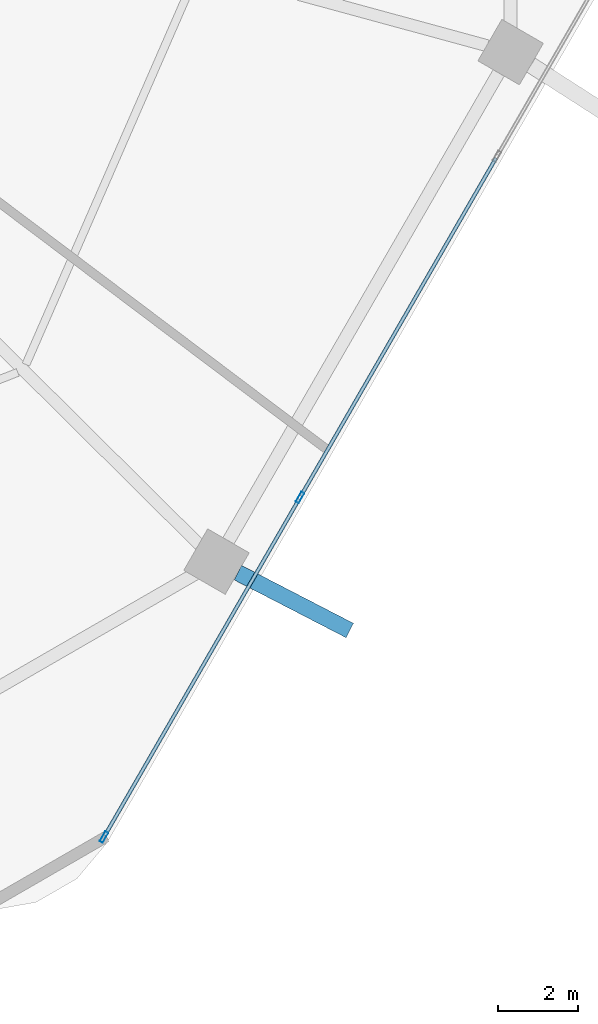
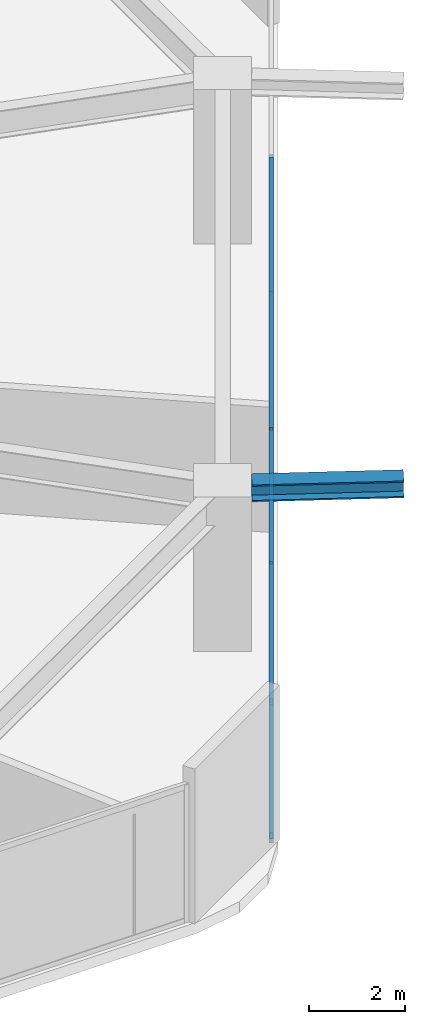
# One storey, part 9 of 25: 6 members, 1 beam, 1 element without a shape of its own.
"""IFC4 building model written with IfcOpenShell, lengths in metres."""

import ifcopenshell
import ifcopenshell.guid

model = None  # the IFC model being written
_history = None  # IfcOwnerHistory: only IFC2X3 demands one
_inside = {}  # id of a spatial element -> (the spatial element, [elements in it])
_under = {}  # id of a project, library or spatial element -> (it, [spatial elements below it])
_declared = {}  # id of a project -> (the project, [libraries it declares])
_typed = {}  # id of a type object -> (the type object, [elements of that type])
_made_of = {}  # id of a material, layer set ... -> (it, [elements and type objects made of it])


def new_model(schema):
    """Start an empty IFC model of exactly this schema.

    Asked for "IFC4X3", IfcOpenShell would pick the latest addendum, in which some entities
    have other attributes; the version numbers below select the first issue.
    IFC2X3 requires an IfcOwnerHistory on every rooted entity: one is made here for all.
    """
    global model, _history
    if schema == "IFC4X3":
        model = ifcopenshell.file(schema_version=(4, 3, 0, 0))
    else:
        model = ifcopenshell.file(schema=schema)
    _inside.clear()
    _under.clear()
    _declared.clear()
    _typed.clear()
    _made_of.clear()
    _history = None
    if model.schema == "IFC2X3":
        org = make("IfcOrganization", Name="unknown")
        user = make(
            "IfcPersonAndOrganization",
            ThePerson=make("IfcPerson", FamilyName="unknown"),
            TheOrganization=org,
        )
        app = make(
            "IfcApplication",
            ApplicationDeveloper=org,
            Version="unknown",
            ApplicationFullName="unknown",
            ApplicationIdentifier="unknown",
        )
        _history = make(
            "IfcOwnerHistory",
            OwningUser=user,
            OwningApplication=app,
            ChangeAction="ADDED",
            CreationDate=0,
        )
    return model


def make(cls, **values):
    """One entity of the class cls with the attributes given. An attribute that is None is left unset."""
    return model.create_entity(
        cls, **{name: value for name, value in values.items() if value is not None}
    )


def rooted(cls, **values):
    """An entity with a GlobalId (a new one), such as an element, a storey or a relation."""
    return make(cls, GlobalId=ifcopenshell.guid.new(), OwnerHistory=_history, **values)


def si_unit(unit_type, name, prefix=None):
    """IfcSIUnit, for example si_unit("LENGTHUNIT", "METRE", prefix="MILLI")."""
    return make("IfcSIUnit", UnitType=unit_type, Prefix=prefix, Name=name)


def assignment(units):
    """IfcUnitAssignment: the units of a project."""
    return None if units is None else make("IfcUnitAssignment", Units=units)


def point(xyz):
    """IfcCartesianPoint."""
    return None if xyz is None else make("IfcCartesianPoint", Coordinates=xyz)


def direction(xyz):
    """IfcDirection."""
    return None if xyz is None else make("IfcDirection", DirectionRatios=xyz)


def frame(location, z_axis=None, x_axis=None):
    """IfcAxis2Placement3D, a coordinate frame: its origin and axes. An axis left out is left unset."""
    return make(
        "IfcAxis2Placement3D",
        Location=point(location),
        Axis=direction(z_axis),
        RefDirection=direction(x_axis),
    )


def frame_2d(location, x_axis=None):
    """IfcAxis2Placement2D, a coordinate frame in the plane: its origin and x axis."""
    return make(
        "IfcAxis2Placement2D", Location=point(location), RefDirection=direction(x_axis)
    )


def origin():
    """The frame at (0, 0, 0) with its axes left unset."""
    return frame((0.0, 0.0, 0.0))


def origin_2d():
    """The frame at (0, 0) in the plane with its x axis left unset."""
    return frame_2d((0.0, 0.0))


def place(relative_to, where):
    """IfcLocalPlacement: puts the frame where relative to a parent placement (None: the world)."""
    return make(
        "IfcLocalPlacement", PlacementRelTo=relative_to, RelativePlacement=where
    )


def context(
    kind, dimensions, precision=None, world=None, true_north=None, identifier=None
):
    """IfcGeometricRepresentationContext, for example the 3D "Model" context."""
    return make(
        "IfcGeometricRepresentationContext",
        ContextIdentifier=identifier,
        ContextType=kind,
        CoordinateSpaceDimension=dimensions,
        Precision=precision,
        WorldCoordinateSystem=world,
        TrueNorth=true_north,
    )


def subcontext(parent, identifier, kind, view, scale=None):
    """IfcGeometricRepresentationSubContext, for example "Body" below "Model"."""
    return make(
        "IfcGeometricRepresentationSubContext",
        ContextIdentifier=identifier,
        ContextType=kind,
        ParentContext=parent,
        TargetScale=scale,
        TargetView=view,
    )


def project(units=None, contexts=None):
    """IfcProject with its units and contexts."""
    return rooted(
        "IfcProject",
        Name="project",
        RepresentationContexts=contexts,
        UnitsInContext=assignment(units),
    )


def spatial(cls, under=None, at=None, **own):
    """A site, building, storey or space (cls), placed at a placement, below another one or the project."""
    s = rooted(cls, ObjectPlacement=at, **own)
    if under is not None:
        _under.setdefault(under.id(), (under, []))[1].append(s)
    return s


def profile(cls, at=None, kind="AREA", **sizes):
    """A parametric profile (cls). Its sizes go by their IFC names, for example OverallWidth=200.0."""
    return make(cls, ProfileType=kind, Position=at, **sizes)


def hollow_rectangle(**sizes):
    """IfcRectangleHollowProfileDef."""
    return profile("IfcRectangleHollowProfileDef", **sizes)


def i_section(**sizes):
    """IfcIShapeProfileDef."""
    return profile("IfcIShapeProfileDef", **sizes)


def extrude(swept, where, along, depth):
    """IfcExtrudedAreaSolid: the profile swept, set in the frame where, extruded along a direction by depth."""
    return make(
        "IfcExtrudedAreaSolid",
        SweptArea=swept,
        Position=where,
        ExtrudedDirection=direction(along),
        Depth=depth,
    )


def shape(context_of_items, identifier, shape_type, items):
    """IfcShapeRepresentation: the items that make up one representation, for example the "Body"."""
    return make(
        "IfcShapeRepresentation",
        ContextOfItems=context_of_items,
        RepresentationIdentifier=identifier,
        RepresentationType=shape_type,
        Items=items,
    )


def material(Name=None, Category=None):
    """IfcMaterial."""
    return make("IfcMaterial", Name=Name, Category=Category)


def material_profile(
    of_material, cross_section, Name=None, Category=None, Priority=None
):
    """IfcMaterialProfile: a cross section and its material."""
    return make(
        "IfcMaterialProfile",
        Name=Name,
        Material=of_material,
        Profile=cross_section,
        Priority=Priority,
        Category=Category,
    )


def profile_set(profiles, Name=None, composite=None):
    """IfcMaterialProfileSet."""
    return make(
        "IfcMaterialProfileSet",
        Name=Name,
        MaterialProfiles=profiles,
        CompositeProfile=composite,
    )


def made_of(thing, what):
    """Note that an element or type object is made of a material, layer set ...; save() writes the relation."""
    if what is not None:
        _made_of.setdefault(what.id(), (what, []))[1].append(thing)
    return thing


def type_object(cls, material=None, **own):
    """A type object (cls), such as IfcWallType, which elements share."""
    return made_of(rooted(cls, **own), material)


def element(
    cls,
    number,
    at=None,
    inside=None,
    cuts=None,
    type_object=None,
    material=None,
    context=None,
    identifier="Body",
    shape_type=None,
    held_by="IfcProductDefinitionShape",
    body=None,
    shapes=None,
    **own,
):
    """One element of the class cls, such as IfcWall. Its Tag is "e" and its number.

    at: its placement. inside: the storey or other place that contains it. cuts: it is an
    opening in that element (IfcRelVoidsElement). A single representation is given by context,
    identifier, shape_type and body (its items); several are given by shapes. held_by: the class
    of the entity that holds the representations. save() writes the other relations.
    """
    e = rooted(cls, Tag="e%d" % number, ObjectPlacement=at, **own)
    if body is not None:
        shapes = [shape(context, identifier, shape_type, body)]
    if shapes is not None:
        e.Representation = make(held_by, Representations=shapes)
    if inside is not None:
        _inside.setdefault(inside.id(), (inside, []))[1].append(e)
    if cuts is not None:
        rooted(
            "IfcRelVoidsElement", RelatingBuildingElement=cuts, RelatedOpeningElement=e
        )
    if type_object is not None:
        _typed.setdefault(type_object.id(), (type_object, []))[1].append(e)
    return made_of(e, material)


def aggregate(whole, parts):
    """IfcRelAggregates: a whole, such as a stair, and the parts it consists of."""
    return rooted("IfcRelAggregates", RelatingObject=whole, RelatedObjects=parts)


def save(model, path):
    """Write the relations noted so far, then the file.

    IfcRelAggregates (storeys below a building ...), IfcRelContainedInSpatialStructure (elements
    in a storey), IfcRelDefinesByType, IfcRelAssociatesMaterial and IfcRelDeclares: one each for
    every whole, place, type object, material and project.
    """
    for whole, parts in _under.values():
        aggregate(whole, parts)
    for where, things in _inside.values():
        rooted(
            "IfcRelContainedInSpatialStructure",
            RelatedElements=things,
            RelatingStructure=where,
        )
    for kind, things in _typed.values():
        rooted("IfcRelDefinesByType", RelatedObjects=things, RelatingType=kind)
    for what, things in _made_of.values():
        rooted("IfcRelAssociatesMaterial", RelatedObjects=things, RelatingMaterial=what)
    for by, libraries in _declared.values():
        rooted("IfcRelDeclares", RelatingContext=by, RelatedDefinitions=libraries)
    model.write(path)


model = new_model("IFC4")

# Units and contexts
model_context = context("Model", 3, precision=1e-05, world=origin(), true_north=direction((0.0, 1.0)))
body_context = subcontext(model_context, "Body", "Model", "MODEL_VIEW")
ifc_project = project(units=[si_unit("LENGTHUNIT", "METRE"), si_unit("AREAUNIT", "SQUARE_METRE"), si_unit("VOLUMEUNIT", "CUBIC_METRE"), si_unit("PLANEANGLEUNIT", "RADIAN"), si_unit("MASSUNIT", "GRAM", prefix="KILO")], contexts=[model_context])

# Site, building, storey
site_placement = place(None, origin())
site = spatial("IfcSite", under=ifc_project, at=site_placement, CompositionType="ELEMENT")
building_placement = place(site_placement, origin())
building = spatial("IfcBuilding", under=site, at=building_placement, Name="Zuhravey Tower", CompositionType="ELEMENT")
storey_placement = place(building_placement, frame((0.0, 0.0, 45.60009765625)))
storey = spatial("IfcBuildingStorey", under=building, at=storey_placement, Name="L11", CompositionType="ELEMENT", Elevation=45.60009765625)

# Curtain wall, members
ifc_material_1 = material(Name="Thermally broken anodised aluminium", Category="aluminium")
curtain_wall_type = type_object("IfcCurtainWallType", Name="School Low-E Unitised Curtain Wall CW1", PredefinedType="NOTDEFINED", material=ifc_material_1)
curtain_wall_placement = place(storey_placement, origin())
curtain_wall = element("IfcCurtainWall", 1, at=curtain_wall_placement, inside=storey, type_object=curtain_wall_type, Name="L11 CW1 CW-L11-F6-1", PredefinedType="NOTDEFINED")
ifc_material_2 = material(Name="Anodised aluminium", Category="aluminium")
ifc_material_profile_1 = material_profile(ifc_material_2, hollow_rectangle(XDim=0.090087890625, YDim=0.284912109375, WallThickness=0.0048828125, at=origin_2d()), Name="ALU-RHS-90x285x5")
ifc_profile_set_1 = profile_set([ifc_material_profile_1], Name="Anodised aluminium")
member_type_1 = type_object("IfcMemberType", Name="Curtain-Wall Mullion 90x180", PredefinedType="MULLION", material=ifc_profile_set_1)
member_1_placement = place(storey_placement, frame((58.612060546875, 13.24853515625, 0.0), z_axis=(0.0, 0.0, 1.0), x_axis=(0.86602552265, -0.499999794119, 0.0)))
member_1 = element("IfcMember", 2, at=member_1_placement, type_object=member_type_1, Name="CW1 mullion 3", PredefinedType="MULLION", context=body_context, shape_type="SweptSolid", body=[
    extrude(hollow_rectangle(XDim=0.090087890625, YDim=0.284912109375, WallThickness=0.0048828125, at=origin_2d()), origin(), (0.0, 0.0, 1.0), 3.491943359375),
])
member_2_placement = place(storey_placement, frame((53.701416015625, 4.742919921875, 0.0), z_axis=(0.0, 0.0, 1.0), x_axis=(0.86602552265, -0.499999794119, 0.0)))
member_2 = element("IfcMember", 3, at=member_2_placement, type_object=member_type_1, Name="CW1 mullion 4", PredefinedType="MULLION", context=body_context, shape_type="SweptSolid", body=[
    extrude(hollow_rectangle(XDim=0.090087890625, YDim=0.284912109375, WallThickness=0.0048828125, at=origin_2d()), origin(), (0.0, 0.0, 1.0), 3.491943359375),
])
ifc_material_profile_2 = material_profile(ifc_material_2, hollow_rectangle(XDim=0.090087890625, YDim=0.14990234375, WallThickness=0.0048828125, at=origin_2d()), Name="ALU-RHS-90x150x5")
ifc_profile_set_2 = profile_set([ifc_material_profile_2], Name="Anodised aluminium")
member_type_2 = type_object("IfcMemberType", Name="Curtain-Wall Transom 90x150", PredefinedType="USERDEFINED", material=ifc_profile_set_2)
member_3_placement = place(storey_placement, frame((63.52294921875, 21.754150390625, 0.044921875), z_axis=(-0.499990498062, -0.866030889661, 0.0), x_axis=(0.866030889661, -0.499990498062, 0.0)))
member_3 = element("IfcMember", 4, at=member_3_placement, type_object=member_type_2, Name="CW1 transom 2.1", ObjectType="TRANSOM", PredefinedType="USERDEFINED", context=body_context, shape_type="SweptSolid", body=[
    extrude(hollow_rectangle(XDim=0.090087890625, YDim=0.14990234375, WallThickness=0.0048828125, at=origin_2d()), origin(), (0.0, 0.0, 1.0), 9.776611328125),
])
member_4_placement = place(storey_placement, frame((63.52294921875, 21.754150390625, 3.447021484375), z_axis=(-0.499990498062, -0.866030889661, 0.0), x_axis=(0.866030889661, -0.499990498062, 0.0)))
member_4 = element("IfcMember", 5, at=member_4_placement, type_object=member_type_2, Name="CW1 transom 2.2", ObjectType="TRANSOM", PredefinedType="USERDEFINED", context=body_context, shape_type="SweptSolid", body=[
    extrude(hollow_rectangle(XDim=0.090087890625, YDim=0.14990234375, WallThickness=0.0048828125, at=origin_2d()), origin(), (0.0, 0.0, 1.0), 9.776611328125),
])
member_5_placement = place(storey_placement, frame((58.589599609375, 13.20947265625, 0.044921875), z_axis=(-0.499989576763, -0.86603142156, 0.0), x_axis=(0.86603142156, -0.499989576763, 0.0)))
member_5 = element("IfcMember", 6, at=member_5_placement, type_object=member_type_2, Name="CW1 transom 3.1", ObjectType="TRANSOM", PredefinedType="USERDEFINED", context=body_context, shape_type="SweptSolid", body=[
    extrude(hollow_rectangle(XDim=0.090087890625, YDim=0.14990234375, WallThickness=0.0048828125, at=origin_2d()), origin(), (0.0, 0.0, 1.0), 9.731201171875),
])
member_6_placement = place(storey_placement, frame((58.589599609375, 13.20947265625, 3.447021484375), z_axis=(-0.499989576763, -0.86603142156, 0.0), x_axis=(0.86603142156, -0.499989576763, 0.0)))
member_6 = element("IfcMember", 7, at=member_6_placement, type_object=member_type_2, Name="CW1 transom 3.2", ObjectType="TRANSOM", PredefinedType="USERDEFINED", context=body_context, shape_type="SweptSolid", body=[
    extrude(hollow_rectangle(XDim=0.090087890625, YDim=0.14990234375, WallThickness=0.0048828125, at=origin_2d()), origin(), (0.0, 0.0, 1.0), 9.731201171875),
])
aggregate(curtain_wall, [member_1, member_2, member_3, member_4, member_5, member_6])

# Beam
ifc_material_3 = material(Name="Steel SM460", Category="steel")
ifc_material_profile_3 = material_profile(ifc_material_3, i_section(OverallWidth=0.406982421875, OverallDepth=0.427978515625, WebThickness=0.02001953125, FlangeThickness=0.034912109375, at=origin_2d()), Name="H-428x407x20x35")
ifc_profile_set_3 = profile_set([ifc_material_profile_3], Name="Steel SM460")
beam_type = type_object("IfcBeamType", Name="Exoskeleton Node Tie Beam H428x407", PredefinedType="BEAM", material=ifc_profile_set_3)
beam_placement = place(storey_placement, frame((57.05615234375, 11.365478515625, 3.705810546875), z_axis=(0.888436426632, -0.458999690449, 0.0), x_axis=(0.458999690449, 0.888436426632, 0.0)))
element("IfcBeam", 8, at=beam_placement, inside=storey, type_object=beam_type, Name="L11 Exoskeleton Node Tie NT1-11", PredefinedType="BEAM", context=body_context, shape_type="SweptSolid", body=[
    extrude(i_section(OverallWidth=0.406982421875, OverallDepth=0.427978515625, WebThickness=0.02001953125, FlangeThickness=0.034912109375, at=origin_2d()), origin(), (0.0, 0.0, 1.0), 3.15478515625),
])

save(model, "model.ifc")
